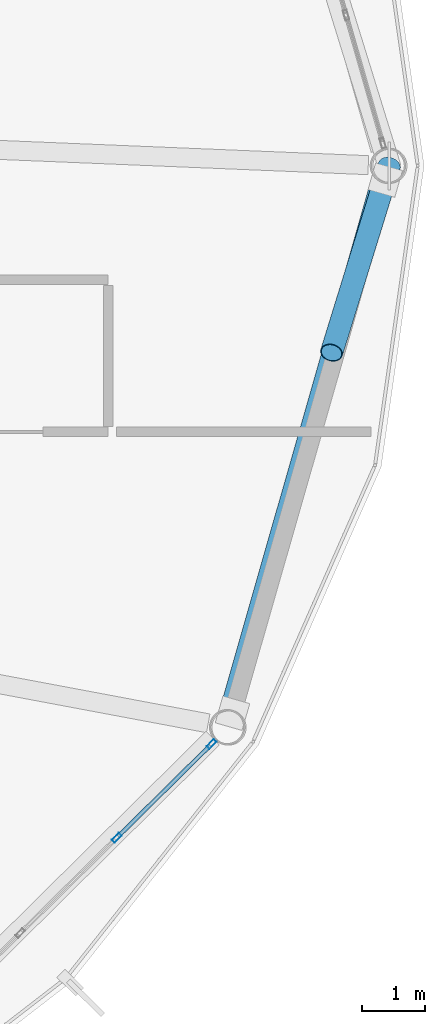
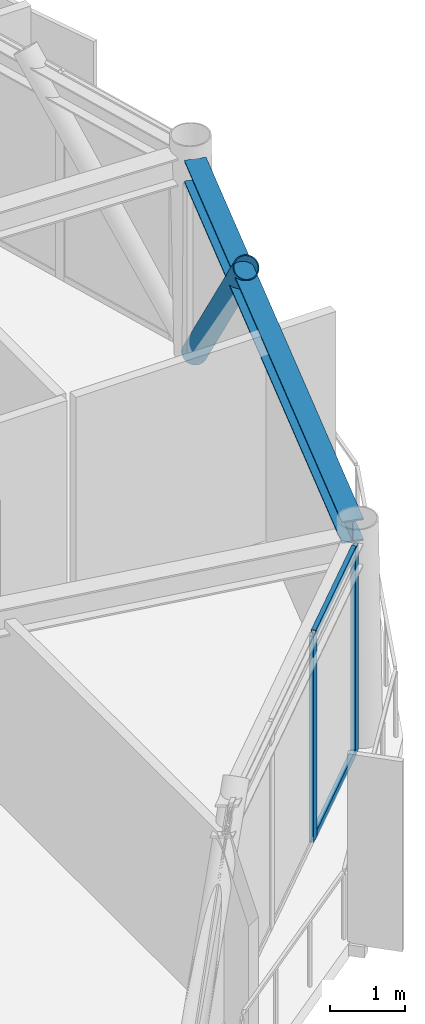
# One storey, part 15 of 26: 5 members, 1 beam, 1 element without a shape of its own.
"""IFC4 building model written with IfcOpenShell, lengths in metres."""

from ifc_helpers import new_model, si_unit, direction, frame, origin, origin_2d, place, context, subcontext, project, spatial, hollow_rectangle, hollow_circle, i_section, extrude, material, layer, layer_set, material_profile, profile_set, type_object, element, aggregate, save


model = new_model("IFC4")

# Units and contexts
model_context = context("Model", 3, precision=1e-05, world=origin(), true_north=direction((0.0, 1.0)))
body_context = subcontext(model_context, "Body", "Model", "MODEL_VIEW")
ifc_project = project(units=[si_unit("LENGTHUNIT", "METRE"), si_unit("AREAUNIT", "SQUARE_METRE"), si_unit("VOLUMEUNIT", "CUBIC_METRE"), si_unit("PLANEANGLEUNIT", "RADIAN"), si_unit("MASSUNIT", "GRAM", prefix="KILO")], contexts=[model_context])

# Site, building, storey
site_placement = place(None, origin())
site = spatial("IfcSite", under=ifc_project, at=site_placement, CompositionType="ELEMENT")
building_placement = place(site_placement, origin())
building = spatial("IfcBuilding", under=site, at=building_placement, Name="Varnakorn Sky Granary", CompositionType="ELEMENT")
storey_placement = place(building_placement, frame((0.0, 0.0, 270.60009765625)))
storey = spatial("IfcBuildingStorey", under=building, at=storey_placement, Name="L69", CompositionType="ELEMENT", Elevation=270.60009765625)

# Beam
ifc_material_1 = material(Name="Steel S355JR", Category="steel")
ifc_material_profile_1 = material_profile(ifc_material_1, i_section(OverallWidth=0.300048828125, OverallDepth=0.360107421875, WebThickness=0.012451171875, FlangeThickness=0.0224609375, at=origin_2d()), Name="HE 360 B")
ifc_profile_set_1 = profile_set([ifc_material_profile_1], Name="Steel S355JR")
beam_type = type_object("IfcBeamType", Name="BM-SPD-Z5", PredefinedType="SPANDREL", material=ifc_profile_set_1)
beam_placement = place(storey_placement, frame((20.412353515625, -8.595703125, 3.179931640625), z_axis=(0.275014729466, 0.961440012989, 0.0), x_axis=(-0.961440012989, 0.275014729466, 0.0)))
element("IfcBeam", 1, at=beam_placement, inside=storey, type_object=beam_type, Name="Perimeter Spandrel Ring Beam RB12 L69", PredefinedType="SPANDREL", context=body_context, shape_type="SweptSolid", body=[
    extrude(i_section(OverallWidth=0.300048828125, OverallDepth=0.360107421875, WebThickness=0.012451171875, FlangeThickness=0.0224609375, at=origin_2d()), origin(), (0.0, 0.0, 1.0), 8.67578125),
])

# Curtain wall, members
ifc_material_2 = material(Name="Anodised Bronze Aluminium Alloy 6063-T6", Category="aluminium")
ifc_layer = layer(ifc_material_2, 0.159912109375, Name="Anodised Bronze Aluminium Alloy 6063-T6")
ifc_layer_set = layer_set([ifc_layer], Name="Anodised Bronze Aluminium Alloy 6063-T6")
curtain_wall_type = type_object("IfcCurtainWallType", Name="CW-OFF-1", PredefinedType="USERDEFINED", material=ifc_layer_set)
curtain_wall_placement = place(storey_placement, origin())
curtain_wall = element("IfcCurtainWall", 2, at=curtain_wall_placement, inside=storey, type_object=curtain_wall_type, Name="Unitised Curtain Wall CW6 CW-L69-B11", ObjectType="CURTAIN WALL", PredefinedType="USERDEFINED")
ifc_material_profile_2 = material_profile(ifc_material_2, hollow_rectangle(XDim=0.06494140625, YDim=0.159912109375, WallThickness=0.00341796875, at=origin_2d()), Name="ALU MULL 65x160")
ifc_profile_set_2 = profile_set([ifc_material_profile_2], Name="Anodised Bronze Aluminium Alloy 6063-T6")
member_type_1 = type_object("IfcMemberType", Name="CW-OFF-1-MULL", PredefinedType="MULLION", material=ifc_profile_set_2)
member_1_placement = place(storey_placement, frame((20.134033203125, -9.12841796875, 0.0), z_axis=(0.0, 0.0, 1.0), x_axis=(0.702728935419, -0.711457689062, 0.0)))
member_1 = element("IfcMember", 3, at=member_1_placement, type_object=member_type_1, Name="CW6 mullion 1", PredefinedType="MULLION", context=body_context, shape_type="SweptSolid", body=[
    extrude(hollow_rectangle(XDim=0.06494140625, YDim=0.159912109375, WallThickness=0.00341796875, at=origin_2d()), origin(), (0.0, 0.0, 1.0), 3.35986328125),
])
member_2_placement = place(storey_placement, frame((18.635009765625, -10.609130859375, 0.0), z_axis=(0.0, 0.0, 1.0), x_axis=(0.702728935419, -0.711457689062, 0.0)))
member_2 = element("IfcMember", 4, at=member_2_placement, type_object=member_type_1, Name="CW6 mullion 2", PredefinedType="MULLION", context=body_context, shape_type="SweptSolid", body=[
    extrude(hollow_rectangle(XDim=0.06494140625, YDim=0.159912109375, WallThickness=0.00341796875, at=origin_2d()), origin(), (0.0, 0.0, 1.0), 3.35986328125),
])
ifc_material_profile_3 = material_profile(ifc_material_2, hollow_rectangle(XDim=0.06494140625, YDim=0.1201171875, WallThickness=0.00341796875, at=origin_2d()), Name="ALU TRAN 65x120")
ifc_profile_set_3 = profile_set([ifc_material_profile_3], Name="Anodised Bronze Aluminium Alloy 6063-T6")
member_type_2 = type_object("IfcMemberType", Name="CW-OFF-1-TRAN", PredefinedType="USERDEFINED", material=ifc_profile_set_3)
member_3_placement = place(storey_placement, frame((20.11083984375, -9.1513671875, 0.032470703125), z_axis=(-0.711516757365, -0.702669128387, 0.0), x_axis=(0.702669128387, -0.711516757365, 0.0)))
member_3 = element("IfcMember", 5, at=member_3_placement, type_object=member_type_2, Name="CW6 transom 1.1", ObjectType="TRANSOM", PredefinedType="USERDEFINED", context=body_context, shape_type="SweptSolid", body=[
    extrude(hollow_rectangle(XDim=0.06494140625, YDim=0.1201171875, WallThickness=0.00341796875, at=origin_2d()), origin(), (0.0, 0.0, 1.0), 2.0419921875),
])
member_4_placement = place(storey_placement, frame((20.11083984375, -9.1513671875, 3.327392578125), z_axis=(-0.711516757365, -0.702669128387, 0.0), x_axis=(0.702669128387, -0.711516757365, 0.0)))
member_4 = element("IfcMember", 6, at=member_4_placement, type_object=member_type_2, Name="CW6 transom 1.2", ObjectType="TRANSOM", PredefinedType="USERDEFINED", context=body_context, shape_type="SweptSolid", body=[
    extrude(hollow_rectangle(XDim=0.06494140625, YDim=0.1201171875, WallThickness=0.00341796875, at=origin_2d()), origin(), (0.0, 0.0, 1.0), 2.0419921875),
])
aggregate(curtain_wall, [member_1, member_2, member_3, member_4])

# Member
ifc_material_3 = material(Name="Steel S460M", Category="steel")
ifc_material_profile_4 = material_profile(ifc_material_3, hollow_circle(Radius=0.177734375, WallThickness=0.01416015625, at=origin_2d()), Name="CHS 355.6x14")
ifc_profile_set_4 = profile_set([ifc_material_profile_4], Name="Steel S460M")
member_type_3 = type_object("IfcMemberType", Name="MB-DIAG-T5", PredefinedType="BRACE", material=ifc_profile_set_4)
member_5_placement = place(storey_placement, frame((22.93896484375, 0.0, 0.0), z_axis=(-0.195687606788, -0.633063816015, 0.748956985015), x_axis=(0.955396962308, -0.295324642408, 0.0)))
element("IfcMember", 7, at=member_5_placement, inside=storey, type_object=member_type_3, Name="Perimeter CHS Diagrid Brace DG12 L69", PredefinedType="BRACE", context=body_context, shape_type="SweptSolid", body=[
    extrude(hollow_circle(Radius=0.177734375, WallThickness=0.01416015625, at=origin_2d()), origin(), (0.0, 0.0, 1.0), 4.659912109375),
])

save(model, "model.ifc")
